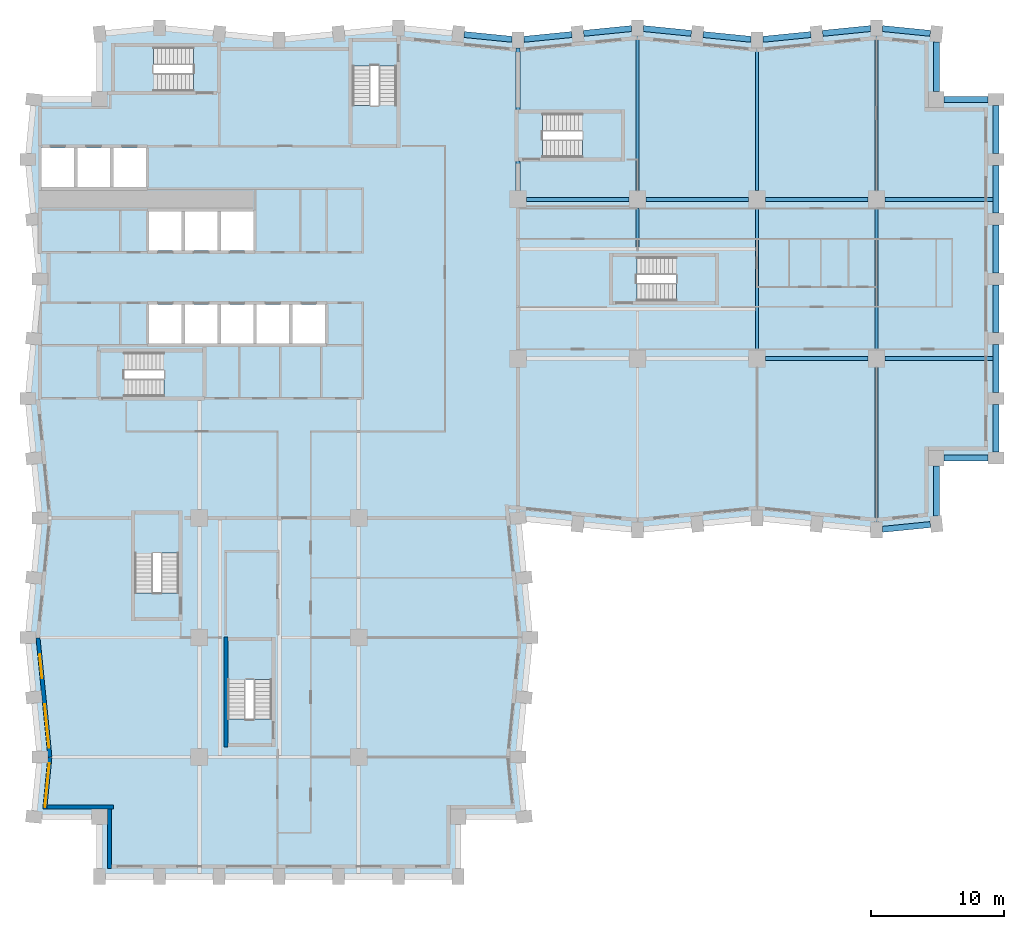
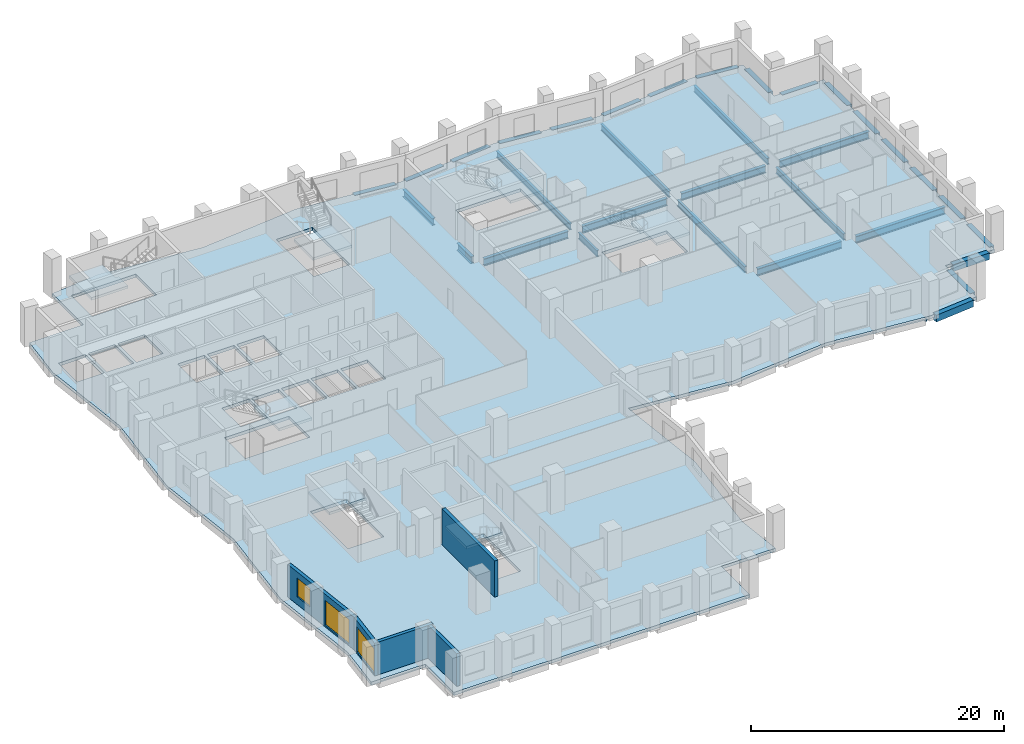
# One storey, part 2 of 11: 34 beams, 8 slabs, 5 walls, 3 windows, 3 openings, 7 elements without a shape of their own.
"""IFC4 building model written with IfcOpenShell, lengths in metres."""

from ifc_helpers import new_model, si_unit, direction, frame, frame_2d, origin, origin_2d, place, context, subcontext, project, spatial, polyline, rectangle, i_section, outline, extrude, material, layer, layer_set, material_profile, profile_set, type_object, element, fill, aggregate, save


model = new_model("IFC4")

# Units and contexts
model_context = context("Model", 3, precision=1e-05, world=origin(), true_north=direction((0.0, 1.0)))
body_context = subcontext(model_context, "Body", "Model", "MODEL_VIEW")
ifc_project = project(units=[si_unit("LENGTHUNIT", "METRE"), si_unit("AREAUNIT", "SQUARE_METRE"), si_unit("VOLUMEUNIT", "CUBIC_METRE"), si_unit("PLANEANGLEUNIT", "RADIAN"), si_unit("MASSUNIT", "GRAM", prefix="KILO")], contexts=[model_context])

# Site, building, storey
site_placement = place(None, origin())
site = spatial("IfcSite", under=ifc_project, at=site_placement, CompositionType="ELEMENT")
building_placement = place(site_placement, origin())
building = spatial("IfcBuilding", under=site, at=building_placement, Name="Brondeck Convention Tower", CompositionType="ELEMENT")
storey_placement = place(building_placement, frame((0.0, 0.0, 103.699951171875)))
storey = spatial("IfcBuildingStorey", under=building, at=storey_placement, Name="L24", CompositionType="ELEMENT", Elevation=103.699951171875)

# Beams
ifc_material_1 = material(Name="Steel S355", Category="steel")
ifc_material_profile_1 = material_profile(ifc_material_1, i_section(OverallWidth=0.219970703125, OverallDepth=0.60009765625, WebThickness=0.011962890625, FlangeThickness=0.01904296875, FilletRadius=0.02392578125, at=origin_2d()), Name="IPE 600")
ifc_profile_set_1 = profile_set([ifc_material_profile_1], Name="Steel S355")
beam_type_1 = type_object("IfcBeamType", Name="Floor beam IPE 600", PredefinedType="BEAM", material=ifc_profile_set_1)
beam_1_placement = place(storey_placement, frame((45.0, 51.64990234375, -0.599853515625), z_axis=(0.0, 1.0, 0.0), x_axis=(-1.0, 0.0, 0.0)))
element("IfcBeam", 1, at=beam_1_placement, inside=storey, type_object=beam_type_1, Name="STR-FB-L24-002", PredefinedType="BEAM", context=body_context, shape_type="SweptSolid", body=[
    extrude(i_section(OverallWidth=0.219970703125, OverallDepth=0.60009765625, WebThickness=0.011962890625, FlangeThickness=0.01904296875, FilletRadius=0.02392578125, at=origin_2d()), origin(), (0.0, 0.0, 1.0), 11.650146484375),
])
beam_2_placement = place(storey_placement, frame((54.0, 39.64990234375, -0.599853515625), z_axis=(0.0, 1.0, 0.0), x_axis=(-1.0, 0.0, 0.0)))
element("IfcBeam", 2, at=beam_2_placement, inside=storey, type_object=beam_type_1, Name="STR-FB-L24-004", PredefinedType="BEAM", context=body_context, shape_type="SweptSolid", body=[
    extrude(i_section(OverallWidth=0.219970703125, OverallDepth=0.60009765625, WebThickness=0.011962890625, FlangeThickness=0.01904296875, FilletRadius=0.02392578125, at=origin_2d()), origin(), (0.0, 0.0, 1.0), 10.7001953125),
])
beam_3_placement = place(storey_placement, frame((54.0, 51.64990234375, -0.599853515625), z_axis=(0.0, 1.0, 0.0), x_axis=(-1.0, 0.0, 0.0)))
element("IfcBeam", 3, at=beam_3_placement, inside=storey, type_object=beam_type_1, Name="STR-FB-L24-005", PredefinedType="BEAM", context=body_context, shape_type="SweptSolid", body=[
    extrude(i_section(OverallWidth=0.219970703125, OverallDepth=0.60009765625, WebThickness=0.011962890625, FlangeThickness=0.01904296875, FilletRadius=0.02392578125, at=origin_2d()), origin(), (0.0, 0.0, 1.0), 10.75),
])
beam_4_placement = place(storey_placement, frame((63.0, 26.699951171875, -0.599853515625), z_axis=(0.0, 1.0, 0.0), x_axis=(-1.0, 0.0, 0.0)))
element("IfcBeam", 4, at=beam_4_placement, inside=storey, type_object=beam_type_1, Name="STR-FB-L24-006", PredefinedType="BEAM", context=body_context, shape_type="SweptSolid", body=[
    extrude(i_section(OverallWidth=0.219970703125, OverallDepth=0.60009765625, WebThickness=0.011962890625, FlangeThickness=0.01904296875, FilletRadius=0.02392578125, at=origin_2d()), origin(), (0.0, 0.0, 1.0), 11.650146484375),
])
beam_5_placement = place(storey_placement, frame((63.0, 39.64990234375, -0.599853515625), z_axis=(0.0, 1.0, 0.0), x_axis=(-1.0, 0.0, 0.0)))
element("IfcBeam", 5, at=beam_5_placement, inside=storey, type_object=beam_type_1, Name="STR-FB-L24-007", PredefinedType="BEAM", context=body_context, shape_type="SweptSolid", body=[
    extrude(i_section(OverallWidth=0.219970703125, OverallDepth=0.60009765625, WebThickness=0.011962890625, FlangeThickness=0.01904296875, FilletRadius=0.02392578125, at=origin_2d()), origin(), (0.0, 0.0, 1.0), 10.7001953125),
])
beam_6_placement = place(storey_placement, frame((63.0, 51.64990234375, -0.599853515625), z_axis=(0.0, 1.0, 0.0), x_axis=(-1.0, 0.0, 0.0)))
element("IfcBeam", 6, at=beam_6_placement, inside=storey, type_object=beam_type_1, Name="STR-FB-L24-008", PredefinedType="BEAM", context=body_context, shape_type="SweptSolid", body=[
    extrude(i_section(OverallWidth=0.219970703125, OverallDepth=0.60009765625, WebThickness=0.011962890625, FlangeThickness=0.01904296875, FilletRadius=0.02392578125, at=origin_2d()), origin(), (0.0, 0.0, 1.0), 11.650146484375),
])
beam_7_placement = place(storey_placement, frame((45.0, 47.39990234375, -0.599853515625), z_axis=(0.0, 1.0, 0.0), x_axis=(-1.0, 0.0, 0.0)))
element("IfcBeam", 7, at=beam_7_placement, inside=storey, type_object=beam_type_1, Name="STR-FB-L24-015", PredefinedType="BEAM", context=body_context, shape_type="SweptSolid", body=[
    extrude(i_section(OverallWidth=0.219970703125, OverallDepth=0.60009765625, WebThickness=0.011962890625, FlangeThickness=0.01904296875, FilletRadius=0.02392578125, at=origin_2d()), origin(), (0.0, 0.0, 1.0), 2.9501953125),
])
ifc_material_profile_2 = material_profile(ifc_material_1, i_section(OverallWidth=0.300048828125, OverallDepth=0.699951171875, WebThickness=0.01708984375, FlangeThickness=0.031982421875, FilletRadius=0.027099609375, at=origin_2d()), Name="HEB 700")
ifc_profile_set_2 = profile_set([ifc_material_profile_2], Name="Steel S355")
beam_type_2 = type_object("IfcBeamType", Name="Girder HEB 700", PredefinedType="BEAM", material=ifc_profile_set_2)
beam_8_placement = place(storey_placement, frame((54.64990234375, 39.0, -0.64990234375), z_axis=(1.0, 0.0, 0.0), x_axis=(0.0, 1.0, 0.0)))
element("IfcBeam", 8, at=beam_8_placement, inside=storey, type_object=beam_type_2, Name="STR-GR-L24-003", PredefinedType="BEAM", context=body_context, shape_type="SweptSolid", body=[
    extrude(i_section(OverallWidth=0.300048828125, OverallDepth=0.699951171875, WebThickness=0.01708984375, FlangeThickness=0.031982421875, FilletRadius=0.027099609375, at=origin_2d()), origin(), (0.0, 0.0, 1.0), 7.7001953125),
])
beam_9_placement = place(storey_placement, frame((63.64990234375, 39.0, -0.64990234375), z_axis=(1.0, 0.0, 0.0), x_axis=(0.0, 1.0, 0.0)))
element("IfcBeam", 9, at=beam_9_placement, inside=storey, type_object=beam_type_2, Name="STR-GR-L24-004", PredefinedType="BEAM", context=body_context, shape_type="SweptSolid", body=[
    extrude(i_section(OverallWidth=0.300048828125, OverallDepth=0.699951171875, WebThickness=0.01708984375, FlangeThickness=0.031982421875, FilletRadius=0.027099609375, at=origin_2d()), origin(), (0.0, 0.0, 1.0), 8.125),
])
for number, where, z_axis, x_axis, name in (
    (10, (36.64990234375, 51.0, -0.64990234375), (1.0, 0.0, 0.0), (0.0, 1.0, 0.0), "STR-GR-L24-005"),
    (11, (45.64990234375, 51.0, -0.64990234375), (1.0, 0.0, 0.0), (0.0, 1.0, 0.0), "STR-GR-L24-006"),
    (12, (54.64990234375, 51.0, -0.64990234375), (1.0, 0.0, 0.0), (0.0, 1.0, 0.0), "STR-GR-L24-007"),
):
    element("IfcBeam", number, at=place(storey_placement, frame(where, z_axis=z_axis, x_axis=x_axis)), inside=storey, type_object=beam_type_2, Name=name, PredefinedType="BEAM", context=body_context, shape_type="SweptSolid", body=[
        extrude(i_section(OverallWidth=0.300048828125, OverallDepth=0.699951171875, WebThickness=0.01708984375, FlangeThickness=0.031982421875, FilletRadius=0.027099609375, at=origin_2d()), origin(), (0.0, 0.0, 1.0), 7.7001953125),
    ])
beam_10_placement = place(storey_placement, frame((63.64990234375, 51.0, -0.64990234375), z_axis=(1.0, 0.0, 0.0), x_axis=(0.0, 1.0, 0.0)))
element("IfcBeam", 13, at=beam_10_placement, inside=storey, type_object=beam_type_2, Name="STR-GR-L24-008", PredefinedType="BEAM", context=body_context, shape_type="SweptSolid", body=[
    extrude(i_section(OverallWidth=0.300048828125, OverallDepth=0.699951171875, WebThickness=0.01708984375, FlangeThickness=0.031982421875, FilletRadius=0.027099609375, at=origin_2d()), origin(), (0.0, 0.0, 1.0), 8.125),
])
beam_11_placement = place(storey_placement, frame((36.0, 51.64990234375, -0.64990234375), z_axis=(0.0, 1.0, 0.0), x_axis=(-1.0, 0.0, 0.0)))
element("IfcBeam", 14, at=beam_11_placement, inside=storey, type_object=beam_type_2, Name="STR-GR-L24-011", PredefinedType="BEAM", context=body_context, shape_type="SweptSolid", body=[
    extrude(i_section(OverallWidth=0.300048828125, OverallDepth=0.699951171875, WebThickness=0.01708984375, FlangeThickness=0.031982421875, FilletRadius=0.027099609375, at=origin_2d()), origin(), (0.0, 0.0, 1.0), 2.22998046875),
])
beam_12_placement = place(storey_placement, frame((36.0, 57.719970703125, -0.64990234375), z_axis=(0.0, 1.0, 0.0), x_axis=(-1.0, 0.0, 0.0)))
element("IfcBeam", 15, at=beam_12_placement, inside=storey, type_object=beam_type_2, Name="STR-GR-L24-012", PredefinedType="BEAM", context=body_context, shape_type="SweptSolid", body=[
    extrude(i_section(OverallWidth=0.300048828125, OverallDepth=0.699951171875, WebThickness=0.01708984375, FlangeThickness=0.031982421875, FilletRadius=0.027099609375, at=origin_2d()), origin(), (0.0, 0.0, 1.0), 4.679931640625),
])
ifc_material_2 = material(Name="Concrete C70/85", Category="concrete")
ifc_material_profile_3 = material_profile(ifc_material_2, rectangle(XDim=0.449951171875, YDim=0.64990234375, at=origin_2d()), Name="Precast spandrel 450x650 Concrete C70/85")
ifc_profile_set_3 = profile_set([ifc_material_profile_3], Name="Concrete C70/85")
beam_type_3 = type_object("IfcBeamType", Name="Precast spandrel 450x650 Concrete C70/85", PredefinedType="SPANDREL", material=ifc_profile_set_3)
beam_13_placement = place(storey_placement, frame((63.449951171875, 26.14501953125, -0.324951171875), z_axis=(0.995040528141, 0.099470334057, 0.0), x_axis=(-0.099470334057, 0.995040528141, 0.0)))
element("IfcBeam", 16, at=beam_13_placement, inside=storey, type_object=beam_type_3, Name="STR-SP-L24-020", PredefinedType="SPANDREL", context=body_context, shape_type="SweptSolid", body=[
    extrude(rectangle(XDim=0.449951171875, YDim=0.64990234375, at=origin_2d()), origin(), (0.0, 0.0, 1.0), 3.620361328125),
])
beam_14_placement = place(storey_placement, frame((67.5, 27.153076171875, -0.324951171875), z_axis=(0.0, 1.0, 0.0), x_axis=(-1.0, 0.0, 0.0)))
element("IfcBeam", 17, at=beam_14_placement, inside=storey, type_object=beam_type_3, Name="STR-SP-L24-021", PredefinedType="SPANDREL", context=body_context, shape_type="SweptSolid", body=[
    extrude(rectangle(XDim=0.449951171875, YDim=0.64990234375, at=origin_2d()), origin(), (0.0, 0.0, 1.0), 3.746826171875),
])
beam_15_placement = place(storey_placement, frame((68.10009765625, 31.5, -0.324951171875), z_axis=(1.0, 0.0, 0.0), x_axis=(0.0, 1.0, 0.0)))
element("IfcBeam", 18, at=beam_15_placement, inside=storey, type_object=beam_type_3, Name="STR-SP-L24-022", PredefinedType="SPANDREL", context=body_context, shape_type="SweptSolid", body=[
    extrude(rectangle(XDim=0.449951171875, YDim=0.64990234375, at=origin_2d()), origin(), (0.0, 0.0, 1.0), 3.2998046875),
])
for number, where, z_axis, x_axis, name in (
    (19, (72.0, 31.949951171875, -0.324951171875), (0.0, 1.0, 0.0), (-1.0, 0.0, 0.0), "STR-SP-L24-023"),
    (20, (72.0, 36.449951171875, -0.324951171875), (0.0, 1.0, 0.0), (-1.0, 0.0, 0.0), "STR-SP-L24-024"),
    (21, (72.0, 40.949951171875, -0.324951171875), (0.0, 1.0, 0.0), (-1.0, 0.0, 0.0), "STR-SP-L24-025"),
    (22, (72.0, 45.449951171875, -0.324951171875), (0.0, 1.0, 0.0), (-1.0, 0.0, 0.0), "STR-SP-L24-026"),
    (23, (72.0, 49.949951171875, -0.324951171875), (0.0, 1.0, 0.0), (-1.0, 0.0, 0.0), "STR-SP-L24-027"),
    (24, (72.0, 54.449951171875, -0.324951171875), (0.0, 1.0, 0.0), (-1.0, 0.0, 0.0), "STR-SP-L24-028"),
):
    element("IfcBeam", number, at=place(storey_placement, frame(where, z_axis=z_axis, x_axis=x_axis)), inside=storey, type_object=beam_type_3, Name=name, PredefinedType="SPANDREL", context=body_context, shape_type="SweptSolid", body=[
        extrude(rectangle(XDim=0.449951171875, YDim=0.64990234375, at=origin_2d()), origin(), (0.0, 0.0, 1.0), 3.60009765625),
    ])
beam_16_placement = place(storey_placement, frame((71.39990234375, 58.5, -0.324951171875), z_axis=(-1.0, 0.0, 0.0), x_axis=(0.0, -1.0, 0.0)))
element("IfcBeam", 25, at=beam_16_placement, inside=storey, type_object=beam_type_3, Name="STR-SP-L24-029", PredefinedType="SPANDREL", context=body_context, shape_type="SweptSolid", body=[
    extrude(rectangle(XDim=0.449951171875, YDim=0.64990234375, at=origin_2d()), origin(), (0.0, 0.0, 1.0), 3.2998046875),
])
beam_17_placement = place(storey_placement, frame((67.5, 59.10009765625, -0.324951171875), z_axis=(0.0, 1.0, 0.0), x_axis=(-1.0, 0.0, 0.0)))
element("IfcBeam", 26, at=beam_17_placement, inside=storey, type_object=beam_type_3, Name="STR-SP-L24-030", PredefinedType="SPANDREL", context=body_context, shape_type="SweptSolid", body=[
    extrude(rectangle(XDim=0.449951171875, YDim=0.64990234375, at=origin_2d()), origin(), (0.0, 0.0, 1.0), 3.746826171875),
])
for number, where, z_axis, x_axis, name in (
    (27, (67.05224609375, 63.494873046875, -0.324951171875), (-0.995040528141, 0.099470334057, 0.0), (-0.099470334057, -0.995040528141, 0.0), "STR-SP-L24-031"),
    (28, (62.550048828125, 63.85498046875, -0.324951171875), (-0.995040528141, -0.099470334057, 0.0), (0.099470334057, -0.995040528141, 0.0), "STR-SP-L24-032"),
    (29, (58.05224609375, 63.4052734375, -0.324951171875), (-0.995033851182, -0.099537103649, 0.0), (0.099537103649, -0.995033851182, 0.0), "STR-SP-L24-033"),
    (30, (53.550048828125, 63.044921875, -0.324951171875), (-0.995033851182, 0.099537103649, 0.0), (-0.099537103649, -0.995033851182, 0.0), "STR-SP-L24-034"),
    (31, (49.05224609375, 63.494873046875, -0.324951171875), (-0.995040528141, 0.099470334057, 0.0), (-0.099470334057, -0.995040528141, 0.0), "STR-SP-L24-035"),
    (32, (44.550048828125, 63.85498046875, -0.324951171875), (-0.995040528141, -0.099470334057, 0.0), (0.099470334057, -0.995040528141, 0.0), "STR-SP-L24-036"),
    (33, (40.05224609375, 63.4052734375, -0.324951171875), (-0.995033851182, -0.099537103649, 0.0), (0.099537103649, -0.995033851182, 0.0), "STR-SP-L24-037"),
    (34, (35.550048828125, 63.044921875, -0.324951171875), (-0.995033851182, 0.099537103649, 0.0), (-0.099537103649, -0.995033851182, 0.0), "STR-SP-L24-038"),
):
    element("IfcBeam", number, at=place(storey_placement, frame(where, z_axis=z_axis, x_axis=x_axis)), inside=storey, type_object=beam_type_3, Name=name, PredefinedType="SPANDREL", context=body_context, shape_type="SweptSolid", body=[
        extrude(rectangle(XDim=0.449951171875, YDim=0.64990234375, at=origin_2d()), origin(), (0.0, 0.0, 1.0), 3.620361328125),
    ])

# Slab
ifc_material_3 = material(Name="Concrete C35/45", Category="concrete")
ifc_layer_1 = layer(ifc_material_3, 0.300048828125)
ifc_layer_set_1 = layer_set([ifc_layer_1], Name="Composite floor slab 300")
slab_type_1 = type_object("IfcSlabType", Name="Composite floor slab 300", PredefinedType="FLOOR", material=ifc_layer_set_1)
slab_1_placement = place(storey_placement, frame((0.0, 0.0, -0.300048828125)))
element("IfcSlab", 35, at=slab_1_placement, inside=storey, type_object=slab_type_1, Name="STR-SL-L24", PredefinedType="FLOOR", context=body_context, shape_type="SweptSolid", body=[
    extrude(outline(polyline([(4.5, 4.5), (-0.449951171875, 4.5), (0.0, 9.0), (-0.89990234375, 18.0), (0.0, 27.0), (-0.89990234375, 36.0), (0.0, 45.0), (-0.89990234375, 54.0), (-0.449951171875, 58.5), (4.5, 58.5), (4.5, 63.449951171875), (9.0, 63.89990234375), (18.0, 63.0), (27.0, 63.89990234375), (36.0, 63.0), (45.0, 63.89990234375), (54.0, 63.0), (63.0, 63.89990234375), (67.5, 63.449951171875), (67.5, 58.5), (72.0, 58.5), (72.0, 31.5), (67.5, 31.5), (67.5, 26.550048828125), (63.0, 26.10009765625), (54.0, 27.0), (45.0, 26.10009765625), (36.0, 27.0), (36.89990234375, 18.0), (36.0, 9.0), (36.449951171875, 4.5), (31.5, 4.5), (31.5, 0.0), (4.5, 0.0), (4.5, 4.5)]), holes=[polyline([(10.447998046875, 27.248046875), (7.152099609375, 27.248046875), (7.152099609375, 21.35205078125), (10.447998046875, 21.35205078125), (10.447998046875, 27.248046875)]), polyline([(12.248046875, 36.152099609375), (12.248046875, 39.447998046875), (6.35205078125, 39.447998046875), (6.35205078125, 36.152099609375), (12.248046875, 36.152099609375)]), polyline([(10.675048828125, 40.125), (10.675048828125, 43.074951171875), (8.22509765625, 43.074951171875), (8.22509765625, 40.125), (10.675048828125, 40.125)]), polyline([(10.675048828125, 47.125), (10.675048828125, 50.074951171875), (8.22509765625, 50.074951171875), (8.22509765625, 47.125), (10.675048828125, 47.125)]), polyline([(13.375, 47.125), (13.375, 50.074951171875), (10.925048828125, 50.074951171875), (10.925048828125, 47.125), (13.375, 47.125)]), polyline([(2.574951171875, 51.925048828125), (2.574951171875, 54.875), (0.125, 54.875), (0.125, 51.925048828125), (2.574951171875, 51.925048828125)]), polyline([(5.27490234375, 51.925048828125), (5.27490234375, 54.875), (2.824951171875, 54.875), (2.824951171875, 51.925048828125), (5.27490234375, 51.925048828125)]), polyline([(5.52490234375, 51.925048828125), (7.97509765625, 51.925048828125), (7.97509765625, 54.875), (5.52490234375, 54.875), (5.52490234375, 51.925048828125)]), polyline([(11.548095703125, 62.447998046875), (5.652099609375, 62.447998046875), (5.652099609375, 59.152099609375), (11.548095703125, 59.152099609375), (11.548095703125, 62.447998046875)]), polyline([(17.447998046875, 17.748046875), (14.152099609375, 17.748046875), (14.152099609375, 11.85205078125), (17.447998046875, 11.85205078125), (17.447998046875, 17.748046875)]), polyline([(13.375, 40.125), (13.375, 43.074951171875), (10.925048828125, 43.074951171875), (10.925048828125, 40.125), (13.375, 40.125)]), polyline([(16.074951171875, 40.125), (16.074951171875, 43.074951171875), (13.625, 43.074951171875), (13.625, 40.125), (16.074951171875, 40.125)]), polyline([(18.77490234375, 40.125), (18.77490234375, 43.074951171875), (16.324951171875, 43.074951171875), (16.324951171875, 40.125), (18.77490234375, 40.125)]), polyline([(21.47509765625, 40.125), (21.47509765625, 43.074951171875), (19.02490234375, 43.074951171875), (19.02490234375, 40.125), (21.47509765625, 40.125)]), polyline([(50.847900390625, 43.35205078125), (50.847900390625, 46.64794921875), (44.951904296875, 46.64794921875), (44.951904296875, 43.35205078125), (50.847900390625, 43.35205078125)]), polyline([(16.074951171875, 47.125), (16.074951171875, 50.074951171875), (13.625, 50.074951171875), (13.625, 47.125), (16.074951171875, 47.125)]), polyline([(37.85205078125, 54.152099609375), (43.748046875, 54.152099609375), (43.748046875, 57.447998046875), (37.85205078125, 57.447998046875), (37.85205078125, 54.152099609375)]), polyline([(23.552001953125, 61.048095703125), (23.552001953125, 55.152099609375), (26.847900390625, 55.152099609375), (26.847900390625, 61.048095703125), (23.552001953125, 61.048095703125)])]), origin(), (0.0, 0.0, 1.0), 0.300048828125),
])

# Stair, slab
ifc_material_4 = material(Name="Precast concrete C50/60", Category="concrete")
stair_type = type_object("IfcStairType", Name="Core stair 22 risers 172.73 mm riser 300 mm going 1350 wide", PredefinedType="HALF_TURN_STAIR", material=ifc_material_4)
stair_1_placement = place(storey_placement, origin())
stair_1 = element("IfcStair", 36, at=stair_1_placement, inside=storey, type_object=stair_type, Name="ST-1 L24 stair", PredefinedType="HALF_TURN_STAIR")
ifc_layer_2 = layer(ifc_material_4, 0.25)
ifc_layer_set_2 = layer_set([ifc_layer_2], Name="Core stair landing 250 Precast concrete C50/60")
slab_type_2 = type_object("IfcSlabType", Name="Core stair landing 250 Precast concrete C50/60", PredefinedType="LANDING", material=ifc_layer_set_2)
slab_2_placement = place(storey_placement, frame((0.0, 0.0, 1.650146484375)))
slab_2 = element("IfcSlab", 37, at=slab_2_placement, type_object=slab_type_2, Name="ST-1 landing 1", PredefinedType="LANDING", context=body_context, shape_type="SweptSolid", body=[
    extrude(outline(polyline([(9.347900390625, 37.5), (9.35009765625, 37.5), (9.35009765625, 38.10009765625), (9.050048828125, 38.10009765625), (9.050048828125, 39.570068359375), (12.3701171875, 39.570068359375), (12.3701171875, 36.030029296875), (9.347900390625, 36.030029296875), (9.347900390625, 37.5)])), origin(), (0.0, 0.0, 1.0), 0.25),
])
aggregate(stair_1, [slab_2])

stair_2_placement = place(storey_placement, origin())
stair_2 = element("IfcStair", 38, at=stair_2_placement, inside=storey, type_object=stair_type, Name="ST-2 L24 stair", PredefinedType="HALF_TURN_STAIR")
slab_3_placement = place(storey_placement, frame((0.0, 0.0, 1.650146484375)))
slab_3 = element("IfcSlab", 39, at=slab_3_placement, type_object=slab_type_2, Name="ST-2 landing 1", PredefinedType="LANDING", context=body_context, shape_type="SweptSolid", body=[
    extrude(outline(polyline([(23.429931640625, 58.052001953125), (24.89990234375, 58.052001953125), (24.89990234375, 58.050048828125), (25.5, 58.050048828125), (25.5, 58.35009765625), (26.969970703125, 58.35009765625), (26.969970703125, 55.030029296875), (23.429931640625, 55.030029296875), (23.429931640625, 58.052001953125)])), origin(), (0.0, 0.0, 1.0), 0.25),
])
aggregate(stair_2, [slab_3])

stair_3_placement = place(storey_placement, origin())
stair_3 = element("IfcStair", 40, at=stair_3_placement, inside=storey, type_object=stair_type, Name="ST-3 L24 stair", PredefinedType="HALF_TURN_STAIR")
slab_4_placement = place(storey_placement, frame((0.0, 0.0, 1.650146484375)))
slab_4 = element("IfcSlab", 41, at=slab_4_placement, type_object=slab_type_2, Name="ST-3 landing 1", PredefinedType="LANDING", context=body_context, shape_type="SweptSolid", body=[
    extrude(outline(polyline([(8.85009765625, 60.5), (8.85009765625, 59.030029296875), (5.530029296875, 59.030029296875), (5.530029296875, 62.570068359375), (8.552001953125, 62.570068359375), (8.552001953125, 61.10009765625), (8.550048828125, 61.10009765625), (8.550048828125, 60.5), (8.85009765625, 60.5)])), origin(), (0.0, 0.0, 1.0), 0.25),
])
aggregate(stair_3, [slab_4])

stair_4_placement = place(storey_placement, origin())
stair_4 = element("IfcStair", 42, at=stair_4_placement, inside=storey, type_object=stair_type, Name="ST-AE L24 stair", PredefinedType="HALF_TURN_STAIR")
slab_5_placement = place(storey_placement, frame((0.0, 0.0, 1.650146484375)))
slab_5 = element("IfcSlab", 43, at=slab_5_placement, type_object=slab_type_2, Name="ST-AE landing 1", PredefinedType="LANDING", context=body_context, shape_type="SweptSolid", body=[
    extrude(outline(polyline([(40.847900390625, 55.5), (40.85009765625, 55.5), (40.85009765625, 56.10009765625), (40.550048828125, 56.10009765625), (40.550048828125, 57.570068359375), (43.8701171875, 57.570068359375), (43.8701171875, 54.030029296875), (40.847900390625, 54.030029296875), (40.847900390625, 55.5)])), origin(), (0.0, 0.0, 1.0), 0.25),
])
aggregate(stair_4, [slab_5])

stair_5_placement = place(storey_placement, origin())
stair_5 = element("IfcStair", 44, at=stair_5_placement, inside=storey, type_object=stair_type, Name="ST-BE L24 stair", PredefinedType="HALF_TURN_STAIR")
slab_6_placement = place(storey_placement, frame((0.0, 0.0, 1.650146484375)))
slab_6 = element("IfcSlab", 45, at=slab_6_placement, type_object=slab_type_2, Name="ST-BE landing 1", PredefinedType="LANDING", context=body_context, shape_type="SweptSolid", body=[
    extrude(outline(polyline([(7.030029296875, 24.050048828125), (7.030029296875, 27.3701171875), (10.570068359375, 27.3701171875), (10.570068359375, 24.347900390625), (9.10009765625, 24.347900390625), (9.10009765625, 24.35009765625), (8.5, 24.35009765625), (8.5, 24.050048828125), (7.030029296875, 24.050048828125)])), origin(), (0.0, 0.0, 1.0), 0.25),
])
aggregate(stair_5, [slab_6])

stair_6_placement = place(storey_placement, origin())
stair_6 = element("IfcStair", 46, at=stair_6_placement, inside=storey, type_object=stair_type, Name="ST-AF L24 stair", PredefinedType="HALF_TURN_STAIR")
slab_7_placement = place(storey_placement, frame((0.0, 0.0, 1.650146484375)))
slab_7 = element("IfcSlab", 47, at=slab_7_placement, type_object=slab_type_2, Name="ST-AF landing 1", PredefinedType="LANDING", context=body_context, shape_type="SweptSolid", body=[
    extrude(outline(polyline([(47.947998046875, 44.699951171875), (47.949951171875, 44.699951171875), (47.949951171875, 45.300048828125), (47.64990234375, 45.300048828125), (47.64990234375, 46.77001953125), (50.969970703125, 46.77001953125), (50.969970703125, 43.22998046875), (47.947998046875, 43.22998046875), (47.947998046875, 44.699951171875)])), origin(), (0.0, 0.0, 1.0), 0.25),
])
aggregate(stair_6, [slab_7])

stair_7_placement = place(storey_placement, origin())
stair_7 = element("IfcStair", 48, at=stair_7_placement, inside=storey, type_object=stair_type, Name="ST-BF L24 stair", PredefinedType="HALF_TURN_STAIR")
slab_8_placement = place(storey_placement, frame((0.0, 0.0, 1.650146484375)))
slab_8 = element("IfcSlab", 49, at=slab_8_placement, type_object=slab_type_2, Name="ST-BF landing 1", PredefinedType="LANDING", context=body_context, shape_type="SweptSolid", body=[
    extrude(outline(polyline([(14.030029296875, 14.550048828125), (14.030029296875, 17.8701171875), (17.570068359375, 17.8701171875), (17.570068359375, 14.847900390625), (16.10009765625, 14.847900390625), (16.10009765625, 14.85009765625), (15.5, 14.85009765625), (15.5, 14.550048828125), (14.030029296875, 14.550048828125)])), origin(), (0.0, 0.0, 1.0), 0.25),
])
aggregate(stair_7, [slab_8])

# Wall, openings, windows
ifc_material_5 = material(Name="Precast concrete C50/60 bronze finish", Category="concrete")
ifc_layer_3 = layer(ifc_material_5, 0.070068359375, Name="Bronze precast facing")
ifc_material_6 = material(Name="Mineral wool")
ifc_layer_4 = layer(ifc_material_6, 0.159912109375, Name="Insulation")
ifc_layer_5 = layer(ifc_material_3, 0.070068359375, Name="Backing")
ifc_layer_set_3 = layer_set([ifc_layer_3, ifc_layer_4, ifc_layer_5], Name="External infill wall, precast concrete C50/60 bronze facing")
wall_type_1 = type_object("IfcWallType", Name="External infill wall, precast concrete C50/60 bronze facing", PredefinedType="SOLIDWALL", material=ifc_layer_set_3)
wall_1_placement = place(storey_placement, frame((0.755126953125, 8.985107421875, 0.0), z_axis=(0.0, 0.0, 1.0), x_axis=(-0.099495688264, 0.995037993253, 0.0)))
wall_1 = element("IfcWall", 50, at=wall_1_placement, inside=storey, type_object=wall_type_1, Name="ENV-EW-L24-P0-B-W-10", PredefinedType="SOLIDWALL", context=body_context, shape_type="SweptSolid", body=[
    extrude(rectangle(XDim=9.030029296875, YDim=0.300048828125, at=frame_2d((4.51513671875, 0.0))), origin(), (0.0, 0.0, 1.0), 3.150146484375),
])
opening_1_placement = place(wall_1_placement, frame((0.701171875, 0.0, 0.14990234375)))
opening_1 = element("IfcOpeningElement", 51, at=opening_1_placement, cuts=wall_1, Name="Opening W9", PredefinedType="OPENING", context=body_context, shape_type="SweptSolid", body=[
    extrude(rectangle(XDim=3.300048828125, YDim=2.39990234375, at=frame_2d((1.64990234375, 1.199951171875))), frame((0.0, 0.159912109375, 0.0), z_axis=(0.0, -1.0, 0.0), x_axis=(1.0, 0.0, 0.0)), (0.0, 0.0, 1.0), 0.320068359375),
])
opening_2_placement = place(wall_1_placement, frame((5.9736328125, 0.0, 0.75)))
opening_2 = element("IfcOpeningElement", 52, at=opening_2_placement, cuts=wall_1, Name="Opening W10", PredefinedType="OPENING", context=body_context, shape_type="SweptSolid", body=[
    extrude(rectangle(XDim=1.800048828125, YDim=1.800048828125, at=frame_2d((0.89990234375, 0.89990234375))), frame((0.0, 0.159912109375, 0.0), z_axis=(0.0, -1.0, 0.0), x_axis=(1.0, 0.0, 0.0)), (0.0, 0.0, 1.0), 0.320068359375),
])
ifc_material_7 = material(Name="Bronze tinted double glazing", Category="glass")
window_type_1 = type_object("IfcWindowType", Name="Glazed flute window, bronze tinted", PartitioningType="SINGLE_PANEL", PredefinedType="WINDOW", material=ifc_material_7)
window_1_placement = place(opening_1_placement, origin())
window_1 = element("IfcWindow", 53, at=window_1_placement, inside=storey, type_object=window_type_1, Name="ENV-WN-L24-P0-B-W-11", OverallHeight=2.39990234375, OverallWidth=3.300048828125, PartitioningType="SINGLE_PANEL", PredefinedType="WINDOW", context=body_context, shape_type="SweptSolid", body=[
    extrude(rectangle(XDim=3.300048828125, YDim=2.39990234375, at=frame_2d((1.64990234375, 1.199951171875))), frame((0.0, 0.030029296875, 0.0), z_axis=(0.0, -1.0, 0.0), x_axis=(1.0, 0.0, 0.0)), (0.0, 0.0, 1.0), 0.06005859375),
])
fill(opening_1, window_1)
window_type_2 = type_object("IfcWindowType", Name="Punched window, bronze tinted", PartitioningType="SINGLE_PANEL", PredefinedType="WINDOW", material=ifc_material_7)
window_2_placement = place(opening_2_placement, origin())
window_2 = element("IfcWindow", 54, at=window_2_placement, inside=storey, type_object=window_type_2, Name="ENV-WN-L24-P0-B-W-10", OverallHeight=1.800048828125, OverallWidth=1.800048828125, PartitioningType="SINGLE_PANEL", PredefinedType="WINDOW", context=body_context, shape_type="SweptSolid", body=[
    extrude(rectangle(XDim=1.800048828125, YDim=1.800048828125, at=frame_2d((0.89990234375, 0.89990234375))), frame((0.0, 0.030029296875, 0.0), z_axis=(0.0, -1.0, 0.0), x_axis=(1.0, 0.0, 0.0)), (0.0, 0.0, 1.0), 0.06005859375),
])
fill(opening_2, window_2)

# Wall, opening, window
wall_2_placement = place(storey_placement, frame((0.3623046875, 5.085205078125, 0.0), z_axis=(0.0, 0.0, 1.0), x_axis=(0.099485145752, 0.995039047362, 0.0)))
wall_2 = element("IfcWall", 55, at=wall_2_placement, inside=storey, type_object=wall_type_1, Name="ENV-EW-L24-P0-B-W-12", PredefinedType="SOLIDWALL", context=body_context, shape_type="SweptSolid", body=[
    extrude(rectangle(XDim=3.904296875, YDim=0.300048828125, at=frame_2d((1.9521484375, 0.0))), origin(), (0.0, 0.0, 1.0), 3.150146484375),
])
opening_3_placement = place(wall_2_placement, frame((0.14990234375, 0.0, 0.14990234375)))
opening_3 = element("IfcOpeningElement", 56, at=opening_3_placement, cuts=wall_2, Name="Opening W9", PredefinedType="OPENING", context=body_context, shape_type="SweptSolid", body=[
    extrude(rectangle(XDim=3.300048828125, YDim=2.39990234375, at=frame_2d((1.64990234375, 1.199951171875))), frame((0.0, 0.159912109375, 0.0), z_axis=(0.0, -1.0, 0.0), x_axis=(1.0, 0.0, 0.0)), (0.0, 0.0, 1.0), 0.320068359375),
])
window_3_placement = place(opening_3_placement, origin())
window_3 = element("IfcWindow", 57, at=window_3_placement, inside=storey, type_object=window_type_1, Name="ENV-WN-L24-P0-B-W-12", OverallHeight=2.39990234375, OverallWidth=3.300048828125, PartitioningType="SINGLE_PANEL", PredefinedType="WINDOW", context=body_context, shape_type="SweptSolid", body=[
    extrude(rectangle(XDim=3.300048828125, YDim=2.39990234375, at=frame_2d((1.64990234375, 1.199951171875))), frame((0.0, 0.030029296875, 0.0), z_axis=(0.0, -1.0, 0.0), x_axis=(1.0, 0.0, 0.0)), (0.0, 0.0, 1.0), 0.06005859375),
])
fill(opening_3, window_3)

# Walls
wall_3_placement = place(storey_placement, frame((5.550048828125, 5.25, 0.0), z_axis=(0.0, 0.0, 1.0), x_axis=(-1.0, 0.0, 0.0)))
element("IfcWall", 58, at=wall_3_placement, inside=storey, type_object=wall_type_1, Name="ENV-EW-L24-P0-NC-SWB0-01", PredefinedType="SOLIDWALL", context=body_context, shape_type="SweptSolid", body=[
    extrude(rectangle(XDim=5.015380859375, YDim=0.300048828125, at=frame_2d((2.5078125, 0.0))), origin(), (0.0, 0.0, 1.0), 3.150146484375),
])
wall_4_placement = place(storey_placement, frame((5.25, 0.60009765625, 0.0), z_axis=(0.0, 0.0, 1.0), x_axis=(0.0, 1.0, 0.0)))
element("IfcWall", 59, at=wall_4_placement, inside=storey, type_object=wall_type_1, Name="ENV-EW-L24-P0-NC-SWB0-02", PredefinedType="SOLIDWALL", context=body_context, shape_type="SweptSolid", body=[
    extrude(rectangle(XDim=4.5, YDim=0.300048828125, at=frame_2d((2.25, 0.0))), origin(), (0.0, 0.0, 1.0), 3.150146484375),
])
ifc_layer_6 = layer(ifc_material_2, 0.300048828125)
ifc_layer_set_4 = layer_set([ifc_layer_6], Name="Stair enclosure wall 300 Concrete C70/85")
wall_type_2 = type_object("IfcWallType", Name="Stair enclosure wall 300 Concrete C70/85", PredefinedType="SHEAR", material=ifc_layer_set_4)
wall_5_placement = place(storey_placement, frame((14.0, 9.75, 0.0), z_axis=(0.0, 0.0, 1.0), x_axis=(0.0, 1.0, 0.0)))
element("IfcWall", 60, at=wall_5_placement, inside=storey, type_object=wall_type_2, Name="L24 core wall", PredefinedType="SHEAR", context=body_context, shape_type="SweptSolid", body=[
    extrude(rectangle(XDim=8.300048828125, YDim=0.300048828125, at=frame_2d((4.14990234375, 0.0))), origin(), (0.0, 0.0, 1.0), 3.5),
])

save(model, "model.ifc")
